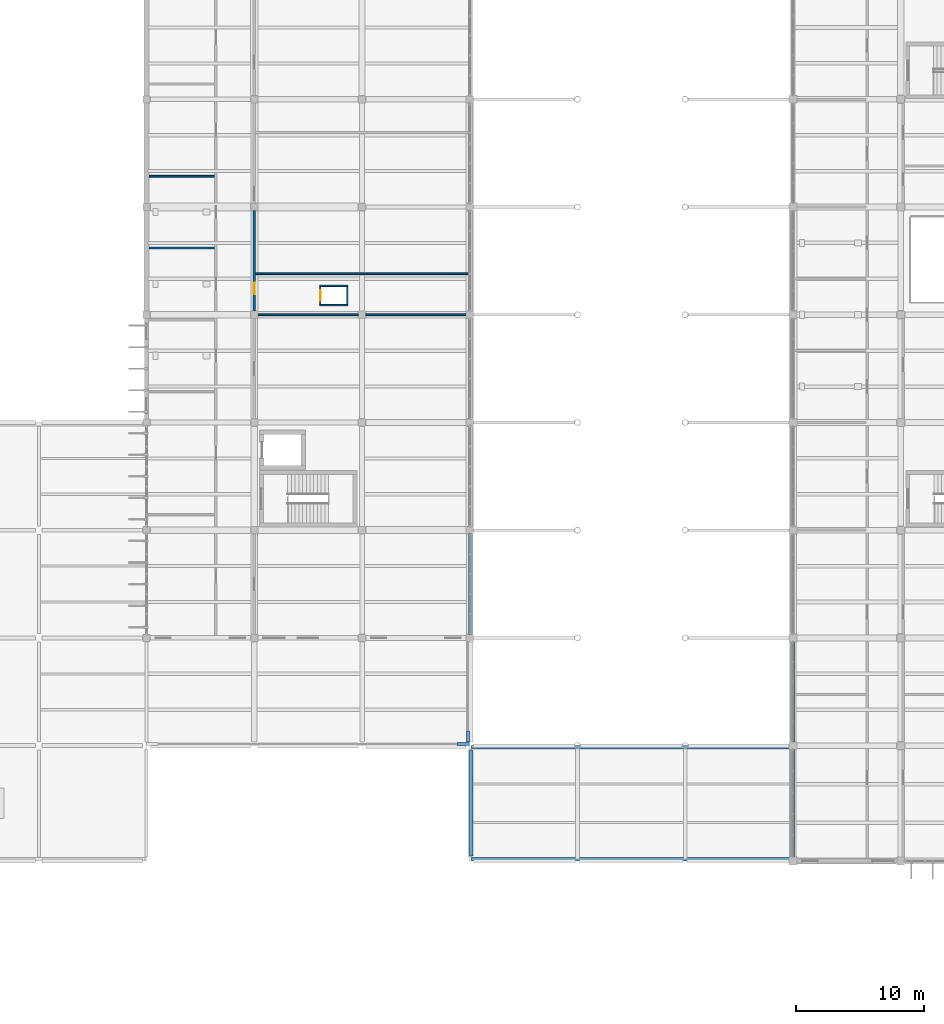
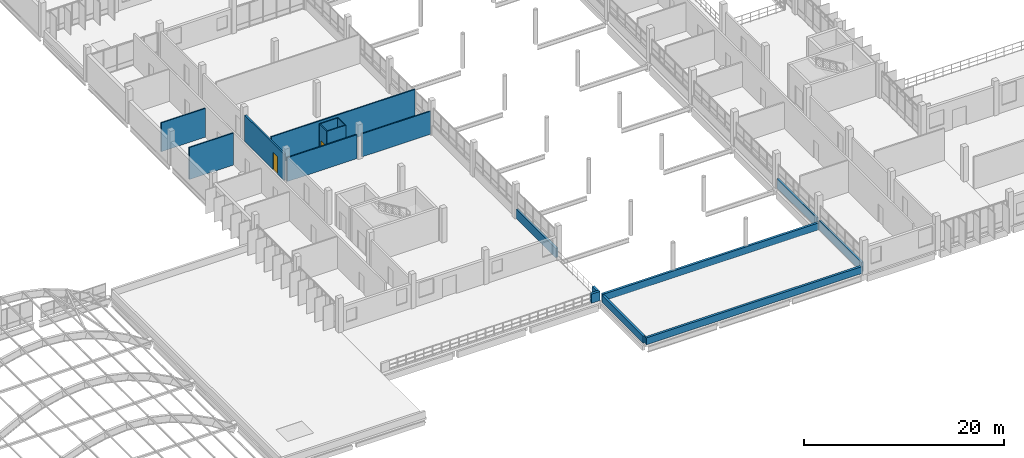
# One storey, part 112 of 130: 18 walls, 2 doors, 2 openings.
"""IFC4 building model written with IfcOpenShell, lengths in metres."""

from ifc_helpers import new_model, si_unit, direction, frame, frame_2d, origin, place, context, subcontext, project, spatial, rectangle, extrude, material, layer, layer_set, type_object, element, fill, save


model = new_model("IFC4")

# Units and contexts
model_context = context("Model", 3, precision=1e-05, world=origin(), true_north=direction((0.0, 1.0)))
body_context = subcontext(model_context, "Body", "Model", "MODEL_VIEW")
ifc_project = project(units=[si_unit("LENGTHUNIT", "METRE"), si_unit("AREAUNIT", "SQUARE_METRE"), si_unit("VOLUMEUNIT", "CUBIC_METRE"), si_unit("PLANEANGLEUNIT", "RADIAN"), si_unit("MASSUNIT", "GRAM", prefix="KILO")], contexts=[model_context])

# Site, building, storey
site_placement = place(None, origin())
site = spatial("IfcSite", under=ifc_project, at=site_placement, CompositionType="ELEMENT")
building_placement = place(site_placement, origin())
building = spatial("IfcBuilding", under=site, at=building_placement, Name="Vireocrest Preparatory School", CompositionType="ELEMENT")
storey_placement = place(building_placement, frame((0.0, 0.0, 9.0)))
storey = spatial("IfcBuildingStorey", under=building, at=storey_placement, Name="L02", CompositionType="ELEMENT", Elevation=9.0)

# Walls
ifc_material_1 = material(Name="Gypsum board on cold-formed steel studs", Category="steel")
ifc_layer_1 = layer(ifc_material_1, 0.139892578125)
ifc_layer_set_1 = layer_set([ifc_layer_1], Name="Gypsum board on cold-formed steel studs")
wall_type_1 = type_object("IfcWallType", Name="Classroom Acoustic Partition Wall 140", PredefinedType="PARTITIONING", material=ifc_layer_set_1)
wall_1_placement = place(storey_placement, frame((42.195068359375, 65.800048828125, 0.0), z_axis=(0.0, 0.0, 1.0), x_axis=(1.0, 0.0, 0.0)))
element("IfcWall", 1, at=wall_1_placement, inside=storey, type_object=wall_type_1, Name="Interior Partition W03 IW_L02_0191", PredefinedType="PARTITIONING", context=body_context, shape_type="SweptSolid", body=[
    extrude(rectangle(XDim=5.099853515625, YDim=0.139892578125, at=frame_2d((2.5498046875, 0.0))), origin(), (0.0, 0.0, 1.0), 3.89990234375),
])
wall_2_placement = place(storey_placement, frame((42.195068359375, 71.39990234375, 0.0), z_axis=(0.0, 0.0, 1.0), x_axis=(1.0, 0.0, 0.0)))
element("IfcWall", 2, at=wall_2_placement, inside=storey, type_object=wall_type_1, Name="Interior Partition W03 IW_L02_0192", PredefinedType="PARTITIONING", context=body_context, shape_type="SweptSolid", body=[
    extrude(rectangle(XDim=5.099853515625, YDim=0.139892578125, at=frame_2d((2.5498046875, 0.0))), origin(), (0.0, 0.0, 1.0), 3.510009765625),
])
wall_3_placement = place(storey_placement, frame((50.5048828125, 60.60009765625, 0.0), z_axis=(0.0, 0.0, 1.0), x_axis=(1.0, 0.0, 0.0)))
element("IfcWall", 3, at=wall_3_placement, inside=storey, type_object=wall_type_1, Name="Interior Partition W03 IW_L02_0196", PredefinedType="PARTITIONING", context=body_context, shape_type="SweptSolid", body=[
    extrude(rectangle(XDim=8.010009765625, YDim=0.139892578125, at=frame_2d((4.0048828125, 0.0))), origin(), (0.0, 0.0, 1.0), 2.909912109375),
])
wall_4_placement = place(storey_placement, frame((59.0849609375, 60.60009765625, 0.0), z_axis=(0.0, 0.0, 1.0), x_axis=(1.0, 0.0, 0.0)))
element("IfcWall", 4, at=wall_4_placement, inside=storey, type_object=wall_type_1, Name="Interior Partition W03 IW_L02_0197", PredefinedType="PARTITIONING", context=body_context, shape_type="SweptSolid", body=[
    extrude(rectangle(XDim=7.989990234375, YDim=0.139892578125, at=frame_2d((3.9951171875, 0.0))), origin(), (0.0, 0.0, 1.0), 2.81005859375),
])
wall_5_placement = place(storey_placement, frame((50.5048828125, 63.800048828125, 0.0), z_axis=(0.0, 0.0, 1.0), x_axis=(1.0, 0.0, 0.0)))
element("IfcWall", 5, at=wall_5_placement, inside=storey, type_object=wall_type_1, Name="Interior Partition W03 IW_L02_0198", PredefinedType="PARTITIONING", context=body_context, shape_type="SweptSolid", body=[
    extrude(rectangle(XDim=16.570068359375, YDim=0.139892578125, at=frame_2d((8.28515625, 0.0))), origin(), (0.0, 0.0, 1.0), 3.510009765625),
])

# Wall, opening, door
ifc_layer_2 = layer(ifc_material_1, 0.199951171875)
ifc_layer_set_2 = layer_set([ifc_layer_2], Name="Gypsum board on cold-formed steel studs")
wall_type_2 = type_object("IfcWallType", Name="Corridor One-Hour Fire Partition 200", PredefinedType="PARTITIONING", material=ifc_layer_set_2)
wall_6_placement = place(storey_placement, frame((50.39990234375, 60.885009765625, 0.0), z_axis=(0.0, 0.0, 1.0), x_axis=(0.0, 1.0, 0.0)))
wall_6 = element("IfcWall", 6, at=wall_6_placement, inside=storey, type_object=wall_type_2, Name="Interior Partition W06 IW_L02_0201", PredefinedType="PARTITIONING", context=body_context, shape_type="SweptSolid", body=[
    extrude(rectangle(XDim=7.830078125, YDim=0.199951171875, at=frame_2d((3.9150390625, 0.0))), origin(), (0.0, 0.0, 1.0), 3.2099609375),
])
opening_1_placement = place(wall_6_placement, frame((1.31494140625, 0.0, 0.0)))
opening_1 = element("IfcOpeningElement", 7, at=opening_1_placement, cuts=wall_6, Name="Opening D-L02-W2EN02", PredefinedType="OPENING", context=body_context, shape_type="SweptSolid", body=[
    extrude(rectangle(XDim=0.89990234375, YDim=2.10009765625, at=frame_2d((0.449951171875, 1.050048828125))), frame((0.0, 0.10986328125, 0.0), z_axis=(0.0, -1.0, 0.0), x_axis=(1.0, 0.0, 0.0)), (0.0, 0.0, 1.0), 0.219970703125),
])
ifc_material_2 = material(Name="Solid-core architectural birch timber", Category="wood")
door_type_1 = type_object("IfcDoorType", Name="Office Timber Door 900x2100", OperationType="NOTDEFINED", PredefinedType="DOOR", material=ifc_material_2)
door_1_placement = place(opening_1_placement, origin())
door_1 = element("IfcDoor", 8, at=door_1_placement, inside=storey, type_object=door_type_1, Name="Interior Door D-L02-W2EN02", OperationType="SINGLE_SWING_LEFT", OverallHeight=2.10009765625, OverallWidth=0.89990234375, PredefinedType="DOOR", context=body_context, shape_type="SweptSolid", body=[
    extrude(rectangle(XDim=0.89990234375, YDim=2.10009765625, at=frame_2d((0.449951171875, 1.050048828125))), frame((0.0, 0.02490234375, 0.0), z_axis=(0.0, -1.0, 0.0), x_axis=(1.0, 0.0, 0.0)), (0.0, 0.0, 1.0), 0.050048828125),
])
fill(opening_1, door_1)

# Walls
ifc_material_3 = material(Name="Precast white concrete 40 MPa", Category="concrete")
ifc_layer_3 = layer(ifc_material_3, 0.260009765625)
ifc_layer_set_3 = layer_set([ifc_layer_3], Name="Precast white concrete 40 MPa")
wall_type_3 = type_object("IfcWallType", Name="Insulated Roof Parapet Wall 260", PredefinedType="PARAPET", material=ifc_layer_set_3)
for number, where, z_axis, x_axis, name in (
    (9, (67.330078125, 18.1298828125, 0.0), (0.0, 0.0, 1.0), (1.0, 0.0, 0.0), "Roof Parapet W09 L02_SOUTH_BRIDGE_ROOF-8"),
    (10, (67.330078125, 26.8701171875, 0.0), (0.0, 0.0, 1.0), (1.0, 0.0, 0.0), "Roof Parapet W09 L02_SOUTH_BRIDGE_ROOF-9"),
):
    element("IfcWall", number, at=place(storey_placement, frame(where, z_axis=z_axis, x_axis=x_axis)), inside=storey, type_object=wall_type_3, Name=name, PredefinedType="PARAPET", context=body_context, shape_type="SweptSolid", body=[
        extrude(rectangle(XDim=24.93994140625, YDim=0.260009765625, at=frame_2d((12.469970703125, 0.0))), origin(), (0.0, 0.0, 1.0), 0.85009765625),
    ])
wall_7_placement = place(storey_placement, frame((67.330078125, 18.389892578125, 0.0), z_axis=(0.0, 0.0, 1.0), x_axis=(0.0, 1.0, 0.0)))
element("IfcWall", 11, at=wall_7_placement, inside=storey, type_object=wall_type_3, Name="Roof Parapet W09 L02_SOUTH_BRIDGE_ROOF-10", PredefinedType="PARAPET", context=body_context, shape_type="SweptSolid", body=[
    extrude(rectangle(XDim=8.22021484375, YDim=0.260009765625, at=frame_2d((4.110107421875, 0.0))), origin(), (0.0, 0.0, 1.0), 0.85009765625),
])
wall_8_placement = place(storey_placement, frame((66.199951171875, 27.1298828125, 0.0), z_axis=(0.0, 0.0, 1.0), x_axis=(1.0, 0.0, 0.0)))
element("IfcWall", 12, at=wall_8_placement, inside=storey, type_object=wall_type_3, Name="Terrace Parapet Return W09 L02-47", PredefinedType="PARAPET", context=body_context, shape_type="SweptSolid", body=[
    extrude(rectangle(XDim=0.97998046875, YDim=0.260009765625, at=frame_2d((0.489990234375, 0.0))), origin(), (0.0, 0.0, 1.0), 1.1201171875),
])
wall_9_placement = place(storey_placement, frame((67.070068359375, 27.280029296875, 0.0), z_axis=(0.0, 0.0, 1.0), x_axis=(0.0, 1.0, 0.0)))
element("IfcWall", 13, at=wall_9_placement, inside=storey, type_object=wall_type_3, Name="Terrace Parapet Return W09 L02-48", PredefinedType="PARAPET", context=body_context, shape_type="SweptSolid", body=[
    extrude(rectangle(XDim=0.869873046875, YDim=0.260009765625, at=frame_2d((0.43505859375, 0.0))), origin(), (0.0, 0.0, 1.0), 1.1201171875),
])
ifc_layer_4 = layer(ifc_material_1, 0.10009765625)
ifc_layer_set_4 = layer_set([ifc_layer_4], Name="Gypsum board on cold-formed steel studs")
wall_type_4 = type_object("IfcWallType", Name="Riser Shaft Lining Wall 100", PredefinedType="PARTITIONING", material=ifc_layer_set_4)
for number, where, z_axis, x_axis, name in (
    (14, (55.5, 61.35009765625, 0.0), (0.0, 0.0, 1.0), (1.0, 0.0, 0.0), "MEP Riser Shaft Wall W01 WEST_MEP-L02-S"),
    (15, (55.5, 62.85009765625, 0.0), (0.0, 0.0, 1.0), (1.0, 0.0, 0.0), "MEP Riser Shaft Wall W01 WEST_MEP-L02-N"),
):
    element("IfcWall", number, at=place(storey_placement, frame(where, z_axis=z_axis, x_axis=x_axis)), inside=storey, type_object=wall_type_4, Name=name, PredefinedType="PARTITIONING", context=body_context, shape_type="SweptSolid", body=[
        extrude(rectangle(XDim=2.199951171875, YDim=0.10009765625, at=frame_2d((1.10009765625, 0.0))), origin(), (0.0, 0.0, 1.0), 3.89990234375),
    ])

# Wall, opening, door
wall_10_placement = place(storey_placement, frame((55.550048828125, 61.39990234375, 0.0), z_axis=(0.0, 0.0, 1.0), x_axis=(0.0, 1.0, 0.0)))
wall_10 = element("IfcWall", 16, at=wall_10_placement, inside=storey, type_object=wall_type_4, Name="MEP Riser Shaft Wall W01 WEST_MEP-L02-W", PredefinedType="PARTITIONING", context=body_context, shape_type="SweptSolid", body=[
    extrude(rectangle(XDim=1.400146484375, YDim=0.10009765625, at=frame_2d((0.7001953125, 0.0))), origin(), (0.0, 0.0, 1.0), 3.89990234375),
])
opening_2_placement = place(wall_10_placement, frame((0.27490234375, 0.0, 0.0)))
opening_2 = element("IfcOpeningElement", 17, at=opening_2_placement, cuts=wall_10, Name="Opening D-L02-RSW", PredefinedType="OPENING", context=body_context, shape_type="SweptSolid", body=[
    extrude(rectangle(XDim=0.85009765625, YDim=2.050048828125, at=frame_2d((0.425048828125, 1.02490234375))), frame((0.0, 0.06005859375, 0.0), z_axis=(0.0, -1.0, 0.0), x_axis=(1.0, 0.0, 0.0)), (0.0, 0.0, 1.0), 0.1201171875),
])
ifc_material_4 = material(Name="Painted galvanized hollow steel", Category="steel")
door_type_2 = type_object("IfcDoorType", Name="Riser Access Steel Door 850x2050", OperationType="NOTDEFINED", PredefinedType="DOOR", material=ifc_material_4)
door_2_placement = place(opening_2_placement, origin())
door_2 = element("IfcDoor", 18, at=door_2_placement, inside=storey, type_object=door_type_2, Name="Riser Shaft Access Door D-L02-RSW", OperationType="SINGLE_SWING_LEFT", OverallHeight=2.050048828125, OverallWidth=0.85009765625, PredefinedType="DOOR", context=body_context, shape_type="SweptSolid", body=[
    extrude(rectangle(XDim=0.85009765625, YDim=2.050048828125, at=frame_2d((0.425048828125, 1.02490234375))), frame((0.0, 0.02490234375, 0.0), z_axis=(0.0, -1.0, 0.0), x_axis=(1.0, 0.0, 0.0)), (0.0, 0.0, 1.0), 0.050048828125),
])
fill(opening_2, door_2)

# Walls
wall_11_placement = place(storey_placement, frame((57.64990234375, 61.39990234375, 0.0), z_axis=(0.0, 0.0, 1.0), x_axis=(0.0, 1.0, 0.0)))
element("IfcWall", 19, at=wall_11_placement, inside=storey, type_object=wall_type_4, Name="MEP Riser Shaft Wall W01 WEST_MEP-L02-E", PredefinedType="PARTITIONING", context=body_context, shape_type="SweptSolid", body=[
    extrude(rectangle(XDim=1.400146484375, YDim=0.10009765625, at=frame_2d((0.7001953125, 0.0))), origin(), (0.0, 0.0, 1.0), 3.89990234375),
])
ifc_layer_5 = layer(ifc_material_3, 0.239990234375)
ifc_layer_set_5 = layer_set([ifc_layer_5], Name="Precast white concrete 40 MPa")
wall_type_5 = type_object("IfcWallType", Name="White Precast Courtyard Spandrel Wall 240", PredefinedType="SOLIDWALL", material=ifc_layer_set_5)
wall_12_placement = place(storey_placement, frame((92.39990234375, 18.27490234375, 0.0), z_axis=(0.0, 0.0, 1.0), x_axis=(0.0, 1.0, 0.0)))
element("IfcWall", 20, at=wall_12_placement, inside=storey, type_object=wall_type_5, Name="External Wall W08 EW_L02_0255", PredefinedType="SOLIDWALL", context=body_context, shape_type="SweptSolid", body=[
    extrude(rectangle(XDim=8.4501953125, YDim=0.239990234375, at=frame_2d((4.22509765625, 0.0))), origin(), (0.0, 0.0, 1.0), 1.14990234375),
])
wall_13_placement = place(storey_placement, frame((92.39990234375, 27.27490234375, 0.0), z_axis=(0.0, 0.0, 1.0), x_axis=(0.0, 1.0, 0.0)))
element("IfcWall", 21, at=wall_13_placement, inside=storey, type_object=wall_type_5, Name="External Wall W08 EW_L02_0256", PredefinedType="SOLIDWALL", context=body_context, shape_type="SweptSolid", body=[
    extrude(rectangle(XDim=7.85009765625, YDim=0.239990234375, at=frame_2d((3.925048828125, 0.0))), origin(), (0.0, 0.0, 1.0), 1.14990234375),
])
wall_14_placement = place(storey_placement, frame((67.199951171875, 35.64990234375, 0.0), z_axis=(0.0, 0.0, 1.0), x_axis=(0.0, 1.0, 0.0)))
element("IfcWall", 22, at=wall_14_placement, inside=storey, type_object=wall_type_5, Name="External Wall W08 EW_L02_0292", PredefinedType="SOLIDWALL", context=body_context, shape_type="SweptSolid", body=[
    extrude(rectangle(XDim=7.900146484375, YDim=0.239990234375, at=frame_2d((3.9501953125, 0.0))), origin(), (0.0, 0.0, 1.0), 1.14990234375),
])

save(model, "model.ifc")
